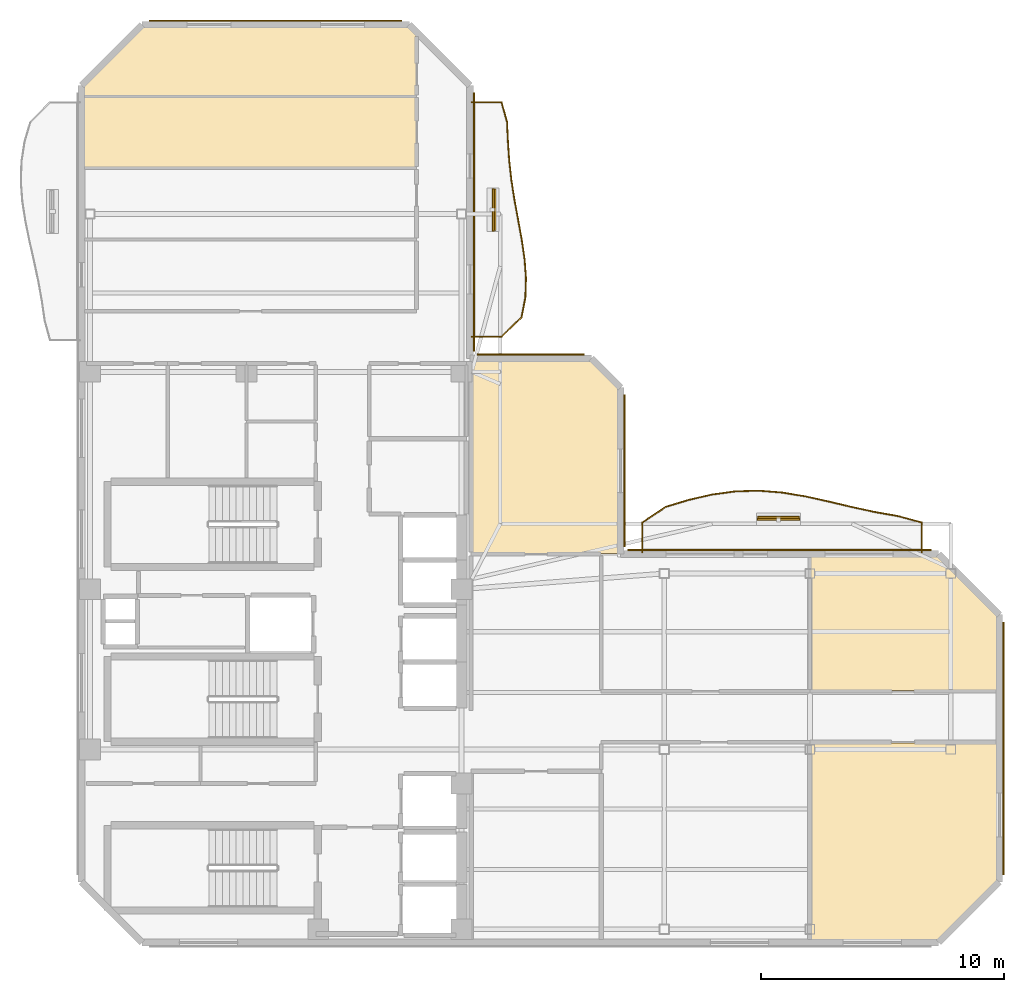
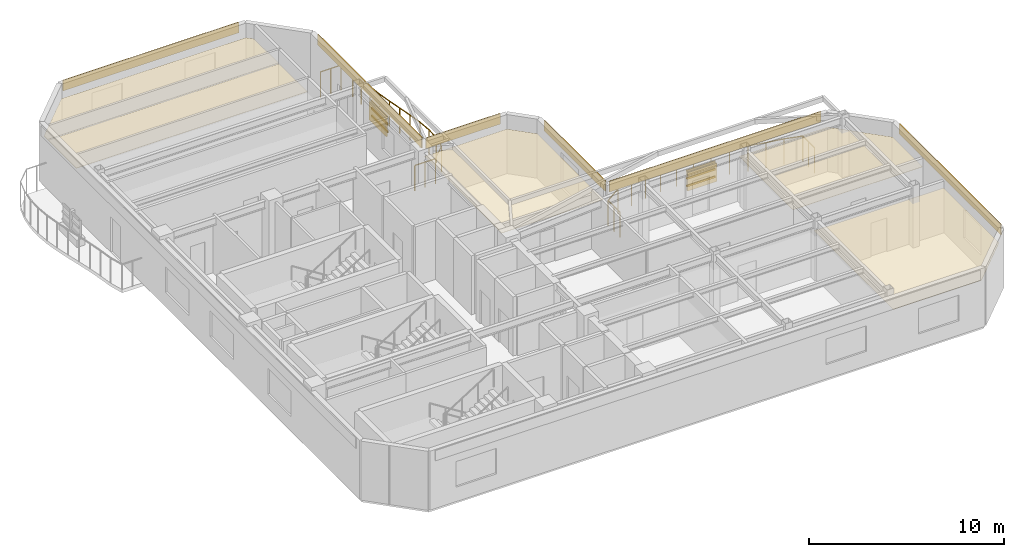
# One storey, part 8 of 8: 11 coverings, 8 shading devices, 2 railings.
"""IFC4 building model written with IfcOpenShell, lengths in metres."""

from ifc_helpers import new_model, si_unit, direction, frame, origin, origin_2d, place, context, subcontext, project, spatial, polyline, rectangle, outline, extrude, material, layer, layer_set, material_profile, profile_set, type_object, element, save


model = new_model("IFC4")

# Units and contexts
model_context = context("Model", 3, precision=1e-05, world=origin(), true_north=direction((0.0, 1.0)))
body_context = subcontext(model_context, "Body", "Model", "MODEL_VIEW")
ifc_project = project(units=[si_unit("LENGTHUNIT", "METRE"), si_unit("AREAUNIT", "SQUARE_METRE"), si_unit("VOLUMEUNIT", "CUBIC_METRE"), si_unit("PLANEANGLEUNIT", "RADIAN"), si_unit("MASSUNIT", "GRAM", prefix="KILO")], contexts=[model_context])

# Site, building, storey
site_placement = place(None, origin())
site = spatial("IfcSite", under=ifc_project, at=site_placement, CompositionType="ELEMENT")
building_placement = place(site_placement, origin())
building = spatial("IfcBuilding", under=site, at=building_placement, Name="Mawjaban Terraces University", CompositionType="ELEMENT")
storey_placement = place(building_placement, frame((0.0, 0.0, 263.800048828125)))
storey = spatial("IfcBuildingStorey", under=building, at=storey_placement, Name="L64", CompositionType="ELEMENT", Elevation=263.800048828125)

# Coverings
ifc_material_1 = material(Name="Acoustic mineral fibre ceiling tile", Category="masonry")
ifc_layer_1 = layer(ifc_material_1, 0.02001953125)
ifc_layer_set_1 = layer_set([ifc_layer_1], Name="Acoustic mineral fibre ceiling tile")
covering_type_1 = type_object("IfcCoveringType", Name="AcousticMineralCeiling_20", PredefinedType="CEILING", material=ifc_layer_set_1)
covering_1_placement = place(storey_placement, frame((0.0, 0.0, 2.75)))
element("IfcCovering", 1, at=covering_1_placement, inside=storey, type_object=covering_type_1, Name="L64 Design Studio 4 Acoustic Ceiling", PredefinedType="CEILING", context=body_context, shape_type="SweptSolid", body=[
    extrude(outline(polyline([(52.030029296875, 0.114990234375), (57.2529296875, 0.114990234375), (59.68505859375, 2.547119140625), (59.68505859375, 8.219970703125), (52.030029296875, 8.219970703125), (52.030029296875, 0.114990234375)])), origin(), (0.0, 0.0, 1.0), 0.02001953125),
])
covering_2_placement = place(storey_placement, frame((0.0, 0.0, 2.75)))
element("IfcCovering", 2, at=covering_2_placement, inside=storey, type_object=covering_type_1, Name="L64 Faculty Office 5 Acoustic Ceiling", PredefinedType="CEILING", context=body_context, shape_type="SweptSolid", body=[
    extrude(outline(polyline([(59.68505859375, 10.3798828125), (59.68505859375, 13.452880859375), (57.2529296875, 15.885009765625), (52.030029296875, 15.885009765625), (52.030029296875, 10.3798828125), (59.68505859375, 10.3798828125)])), origin(), (0.0, 0.0, 1.0), 0.02001953125),
])
covering_3_placement = place(storey_placement, frame((0.0, 0.0, 2.75)))
element("IfcCovering", 3, at=covering_3_placement, inside=storey, type_object=covering_type_1, Name="L64 Faculty Office 8 Acoustic Ceiling", PredefinedType="CEILING", context=body_context, shape_type="SweptSolid", body=[
    extrude(outline(polyline([(22.114990234375, 34.820068359375), (22.114990234375, 31.929931640625), (35.77001953125, 31.929931640625), (35.77001953125, 34.820068359375), (22.114990234375, 34.820068359375)])), origin(), (0.0, 0.0, 1.0), 0.02001953125),
])
covering_4_placement = place(storey_placement, frame((0.0, 0.0, 2.75)))
element("IfcCovering", 4, at=covering_4_placement, inside=storey, type_object=covering_type_1, Name="L64 Departmental Office 9 Acoustic Ceiling", PredefinedType="CEILING", context=body_context, shape_type="SweptSolid", body=[
    extrude(outline(polyline([(35.77001953125, 37.367919921875), (35.452880859375, 37.68505859375), (24.547119140625, 37.68505859375), (22.114990234375, 35.2529296875), (22.114990234375, 34.8798828125), (35.77001953125, 34.8798828125), (35.77001953125, 37.367919921875)])), origin(), (0.0, 0.0, 1.0), 0.02001953125),
])
covering_5_placement = place(storey_placement, frame((0.0, 0.0, 2.75)))
element("IfcCovering", 5, at=covering_5_placement, inside=storey, type_object=covering_type_1, Name="L64 Terrace Collaborative Study Room Acoustic Ceiling", PredefinedType="CEILING", context=body_context, shape_type="SweptSolid", body=[
    extrude(outline(polyline([(44.0849609375, 16.030029296875), (44.0849609375, 22.802978515625), (42.952880859375, 23.93505859375), (38.080078125, 23.93505859375), (38.080078125, 16.030029296875), (44.0849609375, 16.030029296875)])), origin(), (0.0, 0.0, 1.0), 0.02001953125),
])

# Railings
ifc_material_2 = material(Name="Galvanised powder-coated steel S355", Category="steel")
railing_type = type_object("IfcRailingType", Name="BalconyBalustrade_1600", PredefinedType="BALUSTRADE", material=ifc_material_2)
railing_1_placement = place(storey_placement, frame((45.10009765625, 16.080078125, 0.0)))
element("IfcRailing", 6, at=railing_1_placement, inside=storey, type_object=railing_type, Name="L64 Balcony Guardrail inner_north", PredefinedType="BALUSTRADE", context=body_context, shape_type="SweptSolid", body=[
    extrude(rectangle(XDim=0.048095703125, YDim=0.048095703125, at=origin_2d()), frame((0.0, 0.0, 1.576171875), z_axis=(0.0, 1.0, 0.0), x_axis=(-1.0, 0.0, 0.0)), (0.0, 0.0, 1.0), 1.219970703125),
    extrude(rectangle(XDim=0.048095703125, YDim=0.048095703125, at=origin_2d()), frame((0.0, 1.219970703125, 1.576171875), z_axis=(0.830777810062, 0.556604195375, 0.0), x_axis=(-0.556604195375, 0.830777810062, 0.0)), (0.0, 0.0, 1.0), 1.153076171875),
    extrude(rectangle(XDim=0.048095703125, YDim=0.048095703125, at=origin_2d()), frame((0.9580078125, 1.86181640625, 1.576171875), z_axis=(0.95663847951, 0.291277907712, 0.0), x_axis=(-0.291277907712, 0.95663847951, 0.0)), (0.0, 0.0, 1.0), 1.00244140625),
    extrude(rectangle(XDim=0.048095703125, YDim=0.048095703125, at=origin_2d()), frame((1.9169921875, 2.15380859375, 1.576171875), z_axis=(0.974853880754, 0.22284503849, 0.0), x_axis=(-0.22284503849, 0.974853880754, 0.0)), (0.0, 0.0, 1.0), 0.982666015625),
    extrude(rectangle(XDim=0.048095703125, YDim=0.048095703125, at=origin_2d()), frame((2.875, 2.372802734375, 1.576171875), z_axis=(0.990900718435, 0.134594822356, 0.0), x_axis=(-0.134594822356, 0.990900718435, 0.0)), (0.0, 0.0, 1.0), 0.966796875),
    extrude(rectangle(XDim=0.048095703125, YDim=0.048095703125, at=origin_2d()), frame((3.8330078125, 2.5029296875, 1.576171875), z_axis=(0.999600963159, 0.02824737956, 0.0), x_axis=(-0.02824737956, 0.999600963159, 0.0)), (0.0, 0.0, 1.0), 0.95947265625),
    extrude(rectangle(XDim=0.048095703125, YDim=0.048095703125, at=origin_2d()), frame((4.7919921875, 2.530029296875, 1.576171875), z_axis=(0.996933716161, -0.078250658659, 0.0), x_axis=(0.078250658659, 0.996933716161, 0.0)), (0.0, 0.0, 1.0), 0.9609375),
    extrude(rectangle(XDim=0.048095703125, YDim=0.048095703125, at=origin_2d()), frame((5.75, 2.454833984375, 1.576171875), z_axis=(0.986677863453, -0.162686181869, 0.0), x_axis=(0.162686181869, 0.986677863453, 0.0)), (0.0, 0.0, 1.0), 0.970947265625),
    extrude(rectangle(XDim=0.048095703125, YDim=0.048095703125, at=origin_2d()), frame((6.7080078125, 2.296875, 1.576171875), z_axis=(0.976443732285, -0.215772189314, 0.0), x_axis=(0.215772189314, 0.976443732285, 0.0)), (0.0, 0.0, 1.0), 0.982177734375),
    extrude(rectangle(XDim=0.048095703125, YDim=0.048095703125, at=origin_2d()), frame((7.6669921875, 2.0849609375, 1.576171875), z_axis=(0.973045153489, -0.23061467705, 0.0), x_axis=(0.23061467705, 0.973045153489, 0.0)), (0.0, 0.0, 1.0), 0.984619140625),
    extrude(rectangle(XDim=0.048095703125, YDim=0.048095703125, at=origin_2d()), frame((8.625, 1.85791015625, 1.576171875), z_axis=(0.977436409678, -0.211229886699, 0.0), x_axis=(0.211229886699, 0.977436409678, 0.0)), (0.0, 0.0, 1.0), 0.980224609375),
    extrude(rectangle(XDim=0.048095703125, YDim=0.048095703125, at=origin_2d()), frame((9.5830078125, 1.65087890625, 1.576171875), z_axis=(0.984662186721, -0.174471711293, 0.0), x_axis=(0.174471711293, 0.984662186721, 0.0)), (0.0, 0.0, 1.0), 0.973876953125),
    extrude(rectangle(XDim=0.048095703125, YDim=0.048095703125, at=origin_2d()), frame((10.5419921875, 1.48095703125, 1.576171875), z_axis=(0.964837547664, -0.262846926211, 0.0), x_axis=(0.262846926211, 0.964837547664, 0.0)), (0.0, 0.0, 1.0), 0.992919921875),
    extrude(rectangle(XDim=0.048095703125, YDim=0.048095703125, at=origin_2d()), frame((11.5, 1.219970703125, 1.576171875), z_axis=(0.0, -1.0, 0.0), x_axis=(1.0, 0.0, 0.0)), (0.0, 0.0, 1.0), 1.219970703125),
    extrude(rectangle(XDim=0.0419921875, YDim=0.0419921875, at=origin_2d()), origin(), (0.0, 0.0, 1.0), 1.552001953125),
    extrude(rectangle(XDim=0.0419921875, YDim=0.0419921875, at=origin_2d()), frame((0.0, 0.60986328125, 0.0)), (0.0, 0.0, 1.0), 1.552001953125),
    extrude(rectangle(XDim=0.0419921875, YDim=0.0419921875, at=origin_2d()), frame((0.0, 1.219970703125, 0.0)), (0.0, 0.0, 1.0), 1.552001953125),
    extrude(rectangle(XDim=0.0419921875, YDim=0.0419921875, at=origin_2d()), frame((0.9580078125, 1.86181640625, 0.0)), (0.0, 0.0, 1.0), 1.552001953125),
    extrude(rectangle(XDim=0.0419921875, YDim=0.0419921875, at=origin_2d()), frame((1.9169921875, 2.15380859375, 0.0)), (0.0, 0.0, 1.0), 1.552001953125),
    extrude(rectangle(XDim=0.0419921875, YDim=0.0419921875, at=origin_2d()), frame((2.875, 2.372802734375, 0.0)), (0.0, 0.0, 1.0), 1.552001953125),
    extrude(rectangle(XDim=0.0419921875, YDim=0.0419921875, at=origin_2d()), frame((3.8330078125, 2.5029296875, 0.0)), (0.0, 0.0, 1.0), 1.552001953125),
    extrude(rectangle(XDim=0.0419921875, YDim=0.0419921875, at=origin_2d()), frame((4.7919921875, 2.530029296875, 0.0)), (0.0, 0.0, 1.0), 1.552001953125),
    extrude(rectangle(XDim=0.0419921875, YDim=0.0419921875, at=origin_2d()), frame((5.75, 2.454833984375, 0.0)), (0.0, 0.0, 1.0), 1.552001953125),
    extrude(rectangle(XDim=0.0419921875, YDim=0.0419921875, at=origin_2d()), frame((6.7080078125, 2.296875, 0.0)), (0.0, 0.0, 1.0), 1.552001953125),
    extrude(rectangle(XDim=0.0419921875, YDim=0.0419921875, at=origin_2d()), frame((7.6669921875, 2.0849609375, 0.0)), (0.0, 0.0, 1.0), 1.552001953125),
    extrude(rectangle(XDim=0.0419921875, YDim=0.0419921875, at=origin_2d()), frame((8.625, 1.85791015625, 0.0)), (0.0, 0.0, 1.0), 1.552001953125),
    extrude(rectangle(XDim=0.0419921875, YDim=0.0419921875, at=origin_2d()), frame((9.5830078125, 1.65087890625, 0.0)), (0.0, 0.0, 1.0), 1.552001953125),
    extrude(rectangle(XDim=0.0419921875, YDim=0.0419921875, at=origin_2d()), frame((10.5419921875, 1.48095703125, 0.0)), (0.0, 0.0, 1.0), 1.552001953125),
    extrude(rectangle(XDim=0.0419921875, YDim=0.0419921875, at=origin_2d()), frame((11.5, 1.219970703125, 0.0)), (0.0, 0.0, 1.0), 1.552001953125),
    extrude(rectangle(XDim=0.0419921875, YDim=0.0419921875, at=origin_2d()), frame((11.5, 0.60986328125, 0.0)), (0.0, 0.0, 1.0), 1.552001953125),
    extrude(rectangle(XDim=0.0419921875, YDim=0.0419921875, at=origin_2d()), frame((11.5, 0.0, 0.0)), (0.0, 0.0, 1.0), 1.552001953125),
])
railing_2_placement = place(storey_placement, frame((38.080078125, 24.949951171875, 0.0)))
element("IfcRailing", 7, at=railing_2_placement, inside=storey, type_object=railing_type, Name="L64 Balcony Guardrail inner_east", PredefinedType="BALUSTRADE", context=body_context, shape_type="SweptSolid", body=[
    extrude(rectangle(XDim=0.048095703125, YDim=0.048095703125, at=origin_2d()), frame((0.0, 0.0, 1.576171875), z_axis=(1.0, 0.0, 0.0), x_axis=(0.0, 1.0, 0.0)), (0.0, 0.0, 1.0), 1.219970703125),
    extrude(rectangle(XDim=0.048095703125, YDim=0.048095703125, at=origin_2d()), frame((1.219970703125, 0.0, 1.576171875), z_axis=(0.716574264677, 0.697510805079, 0.0), x_axis=(-0.697510805079, 0.716574264677, 0.0)), (0.0, 0.0, 1.0), 1.152587890625),
    extrude(rectangle(XDim=0.048095703125, YDim=0.048095703125, at=origin_2d()), frame((2.0458984375, 0.803955078125, 1.576171875), z_axis=(0.191587367036, 0.981475563013, 0.0), x_axis=(-0.981475563013, 0.191587367036, 0.0)), (0.0, 0.0, 1.0), 0.8193359375),
    extrude(rectangle(XDim=0.048095703125, YDim=0.048095703125, at=origin_2d()), frame((2.202880859375, 1.608154296875, 1.576171875), z_axis=(0.032436668436, 0.999473792823, 0.0), x_axis=(-0.999473792823, 0.032436668436, 0.0)), (0.0, 0.0, 1.0), 0.805419921875),
    extrude(rectangle(XDim=0.048095703125, YDim=0.048095703125, at=origin_2d()), frame((2.22900390625, 2.4130859375, 1.576171875), z_axis=(-0.075700772829, 0.99713057971, 0.0), x_axis=(-0.99713057971, -0.075700772829, 0.0)), (0.0, 0.0, 1.0), 0.80615234375),
    extrude(rectangle(XDim=0.048095703125, YDim=0.048095703125, at=origin_2d()), frame((2.16796875, 3.217041015625, 1.576171875), z_axis=(-0.146592207978, 0.989197009983, 0.0), x_axis=(-0.989197009983, -0.146592207978, 0.0)), (0.0, 0.0, 1.0), 0.812744140625),
    extrude(rectangle(XDim=0.048095703125, YDim=0.048095703125, at=origin_2d()), frame((2.048828125, 4.02099609375, 1.576171875), z_axis=(-0.17867508752, 0.983908132449, 0.0), x_axis=(-0.983908132449, -0.17867508752, 0.0)), (0.0, 0.0, 1.0), 0.817138671875),
    extrude(rectangle(XDim=0.048095703125, YDim=0.048095703125, at=origin_2d()), frame((1.90283203125, 4.824951171875, 1.576171875), z_axis=(-0.180934446223, 0.983495158183, 0.0), x_axis=(-0.983495158183, -0.180934446223, 0.0)), (0.0, 0.0, 1.0), 0.817626953125),
    extrude(rectangle(XDim=0.048095703125, YDim=0.048095703125, at=origin_2d()), frame((1.7548828125, 5.629150390625, 1.576171875), z_axis=(-0.154807009046, 0.98794473021, 0.0), x_axis=(-0.98794473021, -0.154807009046, 0.0)), (0.0, 0.0, 1.0), 0.813720703125),
    extrude(rectangle(XDim=0.048095703125, YDim=0.048095703125, at=origin_2d()), frame((1.62890625, 6.43310546875, 1.576171875), z_axis=(-0.111225485976, 0.993795195837, 0.0), x_axis=(-0.993795195837, -0.111225485976, 0.0)), (0.0, 0.0, 1.0), 0.81005859375),
    extrude(rectangle(XDim=0.048095703125, YDim=0.048095703125, at=origin_2d()), frame((1.538818359375, 7.238037109375, 1.576171875), z_axis=(-0.066961427221, 0.997755564888, 0.0), x_axis=(-0.997755564888, -0.066961427221, 0.0)), (0.0, 0.0, 1.0), 0.8056640625),
    extrude(rectangle(XDim=0.048095703125, YDim=0.048095703125, at=origin_2d()), frame((1.48486328125, 8.0419921875, 1.576171875), z_axis=(-0.045806710774, 0.998950321712, 0.0), x_axis=(-0.998950321712, -0.045806710774, 0.0)), (0.0, 0.0, 1.0), 0.8046875),
    extrude(rectangle(XDim=0.048095703125, YDim=0.048095703125, at=origin_2d()), frame((1.447998046875, 8.845947265625, 1.576171875), z_axis=(-0.272791822054, 0.962073085488, 0.0), x_axis=(-0.962073085488, -0.272791822054, 0.0)), (0.0, 0.0, 1.0), 0.8359375),
    extrude(rectangle(XDim=0.048095703125, YDim=0.048095703125, at=origin_2d()), frame((1.219970703125, 9.650146484375, 1.576171875), z_axis=(-1.0, 0.0, 0.0), x_axis=(0.0, -1.0, 0.0)), (0.0, 0.0, 1.0), 1.219970703125),
    extrude(rectangle(XDim=0.0419921875, YDim=0.0419921875, at=origin_2d()), origin(), (0.0, 0.0, 1.0), 1.552001953125),
    extrude(rectangle(XDim=0.0419921875, YDim=0.0419921875, at=origin_2d()), frame((0.60986328125, 0.0, 0.0)), (0.0, 0.0, 1.0), 1.552001953125),
    extrude(rectangle(XDim=0.0419921875, YDim=0.0419921875, at=origin_2d()), frame((1.219970703125, 0.0, 0.0)), (0.0, 0.0, 1.0), 1.552001953125),
    extrude(rectangle(XDim=0.0419921875, YDim=0.0419921875, at=origin_2d()), frame((2.0458984375, 0.803955078125, 0.0)), (0.0, 0.0, 1.0), 1.552001953125),
    extrude(rectangle(XDim=0.0419921875, YDim=0.0419921875, at=origin_2d()), frame((2.202880859375, 1.608154296875, 0.0)), (0.0, 0.0, 1.0), 1.552001953125),
    extrude(rectangle(XDim=0.0419921875, YDim=0.0419921875, at=origin_2d()), frame((2.22900390625, 2.4130859375, 0.0)), (0.0, 0.0, 1.0), 1.552001953125),
    extrude(rectangle(XDim=0.0419921875, YDim=0.0419921875, at=origin_2d()), frame((2.16796875, 3.217041015625, 0.0)), (0.0, 0.0, 1.0), 1.552001953125),
    extrude(rectangle(XDim=0.0419921875, YDim=0.0419921875, at=origin_2d()), frame((2.048828125, 4.02099609375, 0.0)), (0.0, 0.0, 1.0), 1.552001953125),
    extrude(rectangle(XDim=0.0419921875, YDim=0.0419921875, at=origin_2d()), frame((1.90283203125, 4.824951171875, 0.0)), (0.0, 0.0, 1.0), 1.552001953125),
    extrude(rectangle(XDim=0.0419921875, YDim=0.0419921875, at=origin_2d()), frame((1.7548828125, 5.629150390625, 0.0)), (0.0, 0.0, 1.0), 1.552001953125),
    extrude(rectangle(XDim=0.0419921875, YDim=0.0419921875, at=origin_2d()), frame((1.62890625, 6.43310546875, 0.0)), (0.0, 0.0, 1.0), 1.552001953125),
    extrude(rectangle(XDim=0.0419921875, YDim=0.0419921875, at=origin_2d()), frame((1.538818359375, 7.238037109375, 0.0)), (0.0, 0.0, 1.0), 1.552001953125),
    extrude(rectangle(XDim=0.0419921875, YDim=0.0419921875, at=origin_2d()), frame((1.48486328125, 8.0419921875, 0.0)), (0.0, 0.0, 1.0), 1.552001953125),
    extrude(rectangle(XDim=0.0419921875, YDim=0.0419921875, at=origin_2d()), frame((1.447998046875, 8.845947265625, 0.0)), (0.0, 0.0, 1.0), 1.552001953125),
    extrude(rectangle(XDim=0.0419921875, YDim=0.0419921875, at=origin_2d()), frame((1.219970703125, 9.650146484375, 0.0)), (0.0, 0.0, 1.0), 1.552001953125),
    extrude(rectangle(XDim=0.0419921875, YDim=0.0419921875, at=origin_2d()), frame((0.60986328125, 9.650146484375, 0.0)), (0.0, 0.0, 1.0), 1.552001953125),
    extrude(rectangle(XDim=0.0419921875, YDim=0.0419921875, at=origin_2d()), frame((0.0, 9.650146484375, 0.0)), (0.0, 0.0, 1.0), 1.552001953125),
])

# Shading devices
ifc_material_3 = material(Name="Glazed architectural terracotta ceramic", Category="masonry")
ifc_material_profile = material_profile(ifc_material_3, rectangle(XDim=0.06494140625, YDim=0.110107421875, at=origin_2d()), Name="TBAG110X65")
ifc_profile_set = profile_set([ifc_material_profile], Name="Glazed architectural terracotta ceramic")
shading_device_type_1 = type_object("IfcShadingDeviceType", Name="TerracottaBaguette_110x65", PredefinedType="USERDEFINED", material=ifc_profile_set)
for number, where, z_axis, x_axis, name in (
    (8, (49.85791015625, 17.51611328125, 0.679931640625), (1.0, 0.0, 0.0), (0.0, 1.0, 0.0), "L64 Horizontal Terracotta Baguette inner_north.1"),
    (9, (49.85791015625, 17.51611328125, 1.14990234375), (1.0, 0.0, 0.0), (0.0, 1.0, 0.0), "L64 Horizontal Terracotta Baguette inner_north.2"),
    (10, (49.85791015625, 17.51611328125, 1.619873046875), (1.0, 0.0, 0.0), (0.0, 1.0, 0.0), "L64 Horizontal Terracotta Baguette inner_north.3"),
    (11, (39.034912109375, 29.326904296875, 0.679931640625), (0.0, 1.0, 0.0), (-1.0, 0.0, 0.0), "L64 Horizontal Terracotta Baguette inner_east.1"),
    (12, (39.034912109375, 29.326904296875, 1.14990234375), (0.0, 1.0, 0.0), (-1.0, 0.0, 0.0), "L64 Horizontal Terracotta Baguette inner_east.2"),
    (13, (39.034912109375, 29.326904296875, 1.619873046875), (0.0, 1.0, 0.0), (-1.0, 0.0, 0.0), "L64 Horizontal Terracotta Baguette inner_east.3"),
):
    element("IfcShadingDevice", number, at=place(storey_placement, frame(where, z_axis=z_axis, x_axis=x_axis)), inside=storey, type_object=shading_device_type_1, Name=name, ObjectType="BAGUETTE", PredefinedType="USERDEFINED", context=body_context, shape_type="SweptSolid", body=[
        extrude(rectangle(XDim=0.06494140625, YDim=0.110107421875, at=origin_2d()), origin(), (0.0, 0.0, 1.0), 1.7001953125),
    ])
ifc_layer_2 = layer(ifc_material_3, 0.080078125)
ifc_layer_set_2 = layer_set([ifc_layer_2], Name="Glazed architectural terracotta ceramic")
shading_device_type_2 = type_object("IfcShadingDeviceType", Name="TerracottaScreen_Perforated", PredefinedType="USERDEFINED", material=ifc_layer_set_2)
for number, where, z_axis, x_axis, name in (
    (14, (50.7080078125, 17.430908203125, 0.43994140625), (0.0, 0.0, 1.0), (1.0, 0.0, 0.0), "L64 Balcony Perforated Terracotta Screen inner_north"),
    (15, (38.949951171875, 30.177001953125, 0.43994140625), (0.0, 0.0, 1.0), (0.0, 1.0, 0.0), "L64 Balcony Perforated Terracotta Screen inner_east"),
):
    element("IfcShadingDevice", number, at=place(storey_placement, frame(where, z_axis=z_axis, x_axis=x_axis)), inside=storey, type_object=shading_device_type_2, Name=name, ObjectType="SCREEN", PredefinedType="USERDEFINED", context=body_context, shape_type="SweptSolid", body=[
        extrude(rectangle(XDim=1.75, YDim=0.080078125, at=origin_2d()), origin(), (0.0, 0.0, 1.0), 1.14990234375),
    ])

# Coverings
ifc_material_4 = material(Name="Glazed architectural terracotta rainscreen", Category="masonry")
ifc_layer_3 = layer(ifc_material_4, 0.06005859375)
ifc_layer_set_3 = layer_set([ifc_layer_3], Name="Glazed architectural terracotta rainscreen")
covering_type_2 = type_object("IfcCoveringType", Name="TerracottaSpandrelCladding_60", PredefinedType="CLADDING", material=ifc_layer_set_3)
covering_6_placement = place(storey_placement, frame((59.9619140625, 8.0, 3.014892578125), z_axis=(0.0, 0.0, 1.0), x_axis=(0.0, 1.0, 0.0)))
element("IfcCovering", 16, at=covering_6_placement, inside=storey, type_object=covering_type_2, Name="L64 Terracotta Spandrel Cladding 3", PredefinedType="CLADDING", context=body_context, shape_type="SweptSolid", body=[
    extrude(rectangle(XDim=10.39990234375, YDim=0.06005859375, at=origin_2d()), origin(), (0.0, 0.0, 1.0), 0.64990234375),
])
covering_7_placement = place(storey_placement, frame((50.75, 16.1630859375, 3.014892578125), z_axis=(0.0, 0.0, 1.0), x_axis=(-1.0, 0.0, 0.0)))
element("IfcCovering", 17, at=covering_7_placement, inside=storey, type_object=covering_type_2, Name="L64 Terracotta Spandrel Cladding 5", PredefinedType="CLADDING", context=body_context, shape_type="SweptSolid", body=[
    extrude(rectangle(XDim=12.5, YDim=0.06005859375, at=origin_2d()), origin(), (0.0, 0.0, 1.0), 0.64990234375),
])
covering_8_placement = place(storey_placement, frame((44.363037109375, 19.425048828125, 3.014892578125), z_axis=(0.0, 0.0, 1.0), x_axis=(0.0, 1.0, 0.0)))
element("IfcCovering", 18, at=covering_8_placement, inside=storey, type_object=covering_type_2, Name="L64 Terracotta Spandrel Cladding 6", PredefinedType="CLADDING", context=body_context, shape_type="SweptSolid", body=[
    extrude(rectangle(XDim=6.25, YDim=0.06005859375, at=origin_2d()), origin(), (0.0, 0.0, 1.0), 0.64990234375),
])
covering_9_placement = place(storey_placement, frame((40.5, 24.212890625, 3.014892578125), z_axis=(0.0, 0.0, 1.0), x_axis=(-1.0, 0.0, 0.0)))
element("IfcCovering", 19, at=covering_9_placement, inside=storey, type_object=covering_type_2, Name="L64 Terracotta Spandrel Cladding 8", PredefinedType="CLADDING", context=body_context, shape_type="SweptSolid", body=[
    extrude(rectangle(XDim=4.39990234375, YDim=0.06005859375, at=origin_2d()), origin(), (0.0, 0.0, 1.0), 0.64990234375),
])
covering_10_placement = place(storey_placement, frame((38.1630859375, 29.675048828125, 3.014892578125), z_axis=(0.0, 0.0, 1.0), x_axis=(0.0, 1.0, 0.0)))
element("IfcCovering", 20, at=covering_10_placement, inside=storey, type_object=covering_type_2, Name="L64 Terracotta Spandrel Cladding 9", PredefinedType="CLADDING", context=body_context, shape_type="SweptSolid", body=[
    extrude(rectangle(XDim=10.64990234375, YDim=0.06005859375, at=origin_2d()), origin(), (0.0, 0.0, 1.0), 0.64990234375),
])
covering_11_placement = place(storey_placement, frame((30.0, 37.9619140625, 3.014892578125), z_axis=(0.0, 0.0, 1.0), x_axis=(-1.0, 0.0, 0.0)))
element("IfcCovering", 21, at=covering_11_placement, inside=storey, type_object=covering_type_2, Name="L64 Terracotta Spandrel Cladding 11", PredefinedType="CLADDING", context=body_context, shape_type="SweptSolid", body=[
    extrude(rectangle(XDim=10.39990234375, YDim=0.06005859375, at=origin_2d()), origin(), (0.0, 0.0, 1.0), 0.64990234375),
])

save(model, "model.ifc")
